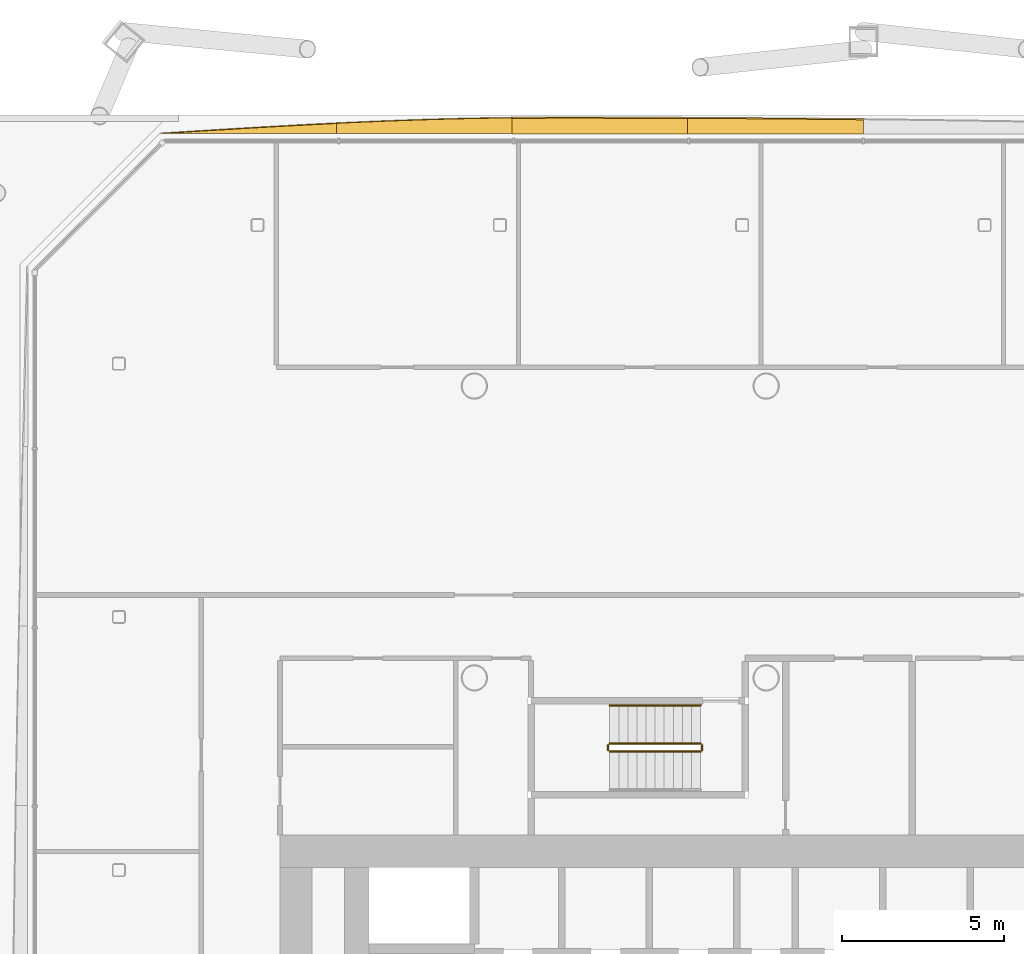
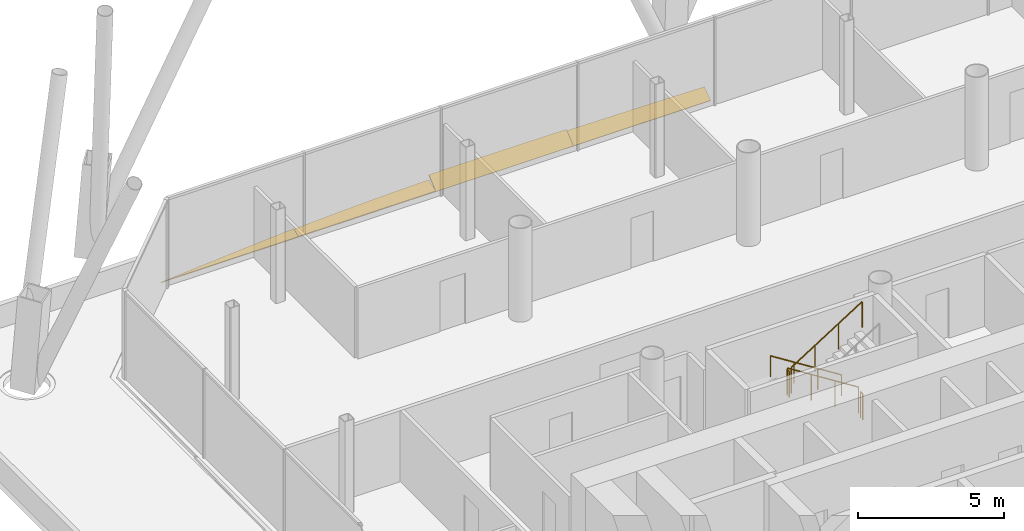
# One storey, part 21 of 23: 5 railings, 4 shading devices.
"""IFC4 building model written with IfcOpenShell, lengths in metres."""

from ifc_helpers import new_model, si_unit, direction, frame, origin, origin_2d, place, context, subcontext, project, spatial, polyline, circle, outline, extrude, material, layer, layer_set, type_object, element, save


model = new_model("IFC4")

# Units and contexts
model_context = context("Model", 3, precision=1e-05, world=origin(), true_north=direction((0.0, 1.0)))
body_context = subcontext(model_context, "Body", "Model", "MODEL_VIEW")
ifc_project = project(units=[si_unit("LENGTHUNIT", "METRE"), si_unit("AREAUNIT", "SQUARE_METRE"), si_unit("VOLUMEUNIT", "CUBIC_METRE"), si_unit("PLANEANGLEUNIT", "RADIAN"), si_unit("MASSUNIT", "GRAM", prefix="KILO")], contexts=[model_context])

# Site, building, storey
site_placement = place(None, origin())
site = spatial("IfcSite", under=ifc_project, at=site_placement, CompositionType="ELEMENT")
building_placement = place(site_placement, origin())
building = spatial("IfcBuilding", under=site, at=building_placement, Name="Tskaro Facet Tower", CompositionType="ELEMENT")
storey_placement = place(building_placement, frame((0.0, 0.0, 62.10009765625)))
storey = spatial("IfcBuildingStorey", under=building, at=storey_placement, Name="L14", CompositionType="ELEMENT", Elevation=62.10009765625)

# Shading devices
ifc_material_1 = material(Name="Bronze anodised aluminium 6063-T6", Category="aluminium")
ifc_layer = layer(ifc_material_1, 0.06005859375, Name="Bronze anodised aluminium 6063-T6")
ifc_layer_set = layer_set([ifc_layer], Name="Bronze anodised aluminium 6063-T6")
shading_device_type = type_object("IfcShadingDeviceType", Name="Bronze sun blade (FN1)", PredefinedType="USERDEFINED", material=ifc_layer_set)
shading_device_1_placement = place(storey_placement, frame((3.0, 25.774658203125, 0.049072265625), z_axis=(-8.216676e-06, -0.573658357337, 0.819094676451), x_axis=(-0.999999999966, 4.713565e-06, -6.730235e-06)))
element("IfcShadingDevice", 1, at=shading_device_1_placement, inside=storey, type_object=shading_device_type, Name="Fin blade north 5", ObjectType="FIN", PredefinedType="USERDEFINED", context=body_context, shape_type="SweptSolid", body=[
    extrude(outline(polyline([(0.0, 0.0), (5.419433593567057, 0.0), (5.41943359373663, -0.5877629134581239), (4.741943358554151, -0.5833627660653653), (4.064697264981364, -0.5782825634803046), (3.3872070317682876, -0.5725223057029418), (2.7097167967460174, -0.5660220717569288), (2.03222656270845, -0.5588417826186136), (1.354980468637453, -0.5511214915978977), (0.6774902349261664, -0.5427211453848798), (-5.943140861377047e-10, -0.5335808230032115), (0.0, 0.0)])), origin(), (0.0, 0.0, -1.0), 0.06005859375),
])
shading_device_2_placement = place(storey_placement, frame((-2.41943359375, 25.7705078125, 0.0458984375), z_axis=(-3.254269e-06, -0.642796142066, 0.766037283514), x_axis=(-0.999999999995, 2.091832e-06, -2.492892e-06)))
element("IfcShadingDevice", 2, at=shading_device_2_placement, inside=storey, type_object=shading_device_type, Name="Fin blade north 6", ObjectType="FIN", PredefinedType="USERDEFINED", context=body_context, shape_type="SweptSolid", body=[
    extrude(outline(polyline([(0.0, 0.0), (5.419677734346302, 0.0), (5.419677734308261, -0.6300914329124969), (4.742187499923438, -0.6380625391311064), (4.064697265790108, -0.6411882085578013), (3.945556640790738, -0.6411882085578013), (3.387207030907994, -0.6410011877366297), (2.7097167968303264, -0.6399693273174978), (2.032470702964871, -0.6384064926041504), (1.3549804687681624, -0.635811797471671), (0.6774902347672838, -0.6325291953931038), (-1.57082096104119e-10, -0.6285285981991495), (0.0, 0.0)])), origin(), (0.0, 0.0, -1.0), 0.06005859375),
])
shading_device_3_placement = place(storey_placement, frame((-7.839111328125, 25.78857421875, 0.056396484375), z_axis=(1.392184e-05, -0.341987629942, 0.93970445395), x_axis=(-0.999999999903, -4.761097e-06, 1.3082415e-05)))
element("IfcShadingDevice", 3, at=shading_device_3_placement, inside=storey, type_object=shading_device_type, Name="Fin blade north 7", ObjectType="FIN", PredefinedType="USERDEFINED", context=body_context, shape_type="SweptSolid", body=[
    extrude(outline(polyline([(0.0, 0.0), (5.419433593224809, 0.0), (5.419433593469022, -0.3333371674151971), (4.7419433593286175, -0.36685652610174146), (4.064453125198568, -0.3975182921334156), (3.3869628910788716, -0.4253224655102194), (2.709716795562934, -0.4499561331257038), (2.0322265617571262, -0.4712733680208684), (1.3547363282548552, -0.48896125708926397), (0.6772460938937431, -0.5032492203636153), (-1.5704284407442744e-09, -0.5135949247047483), (0.0, 0.0)])), origin(), (0.0, 0.0, -1.0), 0.06005859375),
])
shading_device_4_placement = place(storey_placement, frame((-13.258544921875, 25.78369140625, 0.05419921875), z_axis=(-6.662904e-06, -0.422931879323, 0.90616147866), x_axis=(-0.999999999978, 2.817954e-06, -6.037667e-06)))
element("IfcShadingDevice", 4, at=shading_device_4_placement, inside=storey, type_object=shading_device_type, Name="Fin blade north 8", ObjectType="FIN", PredefinedType="USERDEFINED", context=body_context, shape_type="SweptSolid", body=[
    extrude(outline(polyline([(0.0, 0.0), (5.419433593629704, 0.0), (4.741943358892572, -0.04663657666934681), (4.064697264780434, -0.09327315333869363), (3.387207030927449, -0.1390395278120673), (2.7097167972706355, -0.1837144692597118), (2.0322265631220153, -0.22707674685187113), (1.3547363285796747, -0.2685806440756807), (0.6774902342686075, -0.30822616093114064), (-2.7511244438318665e-10, -0.34568881173514215), (0.0, 0.0)])), origin(), (0.0, 0.0, -1.0), 0.06005859375),
])

# Railings
ifc_material_2 = material(Name="Stainless steel", Category="steel")
railing_type_1 = type_object("IfcRailingType", Name="RL-GUARD-1100", PredefinedType="GUARDRAIL", material=ifc_material_2)
railing_1_placement = place(storey_placement, frame((-2.02490234375, 6.97509765625, 0.17724609375)))
element("IfcRailing", 5, at=railing_1_placement, inside=storey, type_object=railing_type_1, Name="L14 ST-3 stair guard 1", PredefinedType="GUARDRAIL", context=body_context, shape_type="SweptSolid", body=[
    extrude(circle(Radius=0.02392578125, at=origin_2d()), frame((0.0, 0.0, 1.076171875), z_axis=(-0.844908973607, 0.0, 0.534910110503), x_axis=(0.0, -1.0, 0.0)), (0.0, 0.0, 1.0), 3.31396484375),
    extrude(circle(Radius=0.02099609375, at=origin_2d()), origin(), (0.0, 0.0, 1.0), 1.052001953125),
    extrude(circle(Radius=0.02099609375, at=origin_2d()), frame((-0.933349609375, 0.0, 0.5908203125)), (0.0, 0.0, 1.0), 1.052001953125),
    extrude(circle(Radius=0.02099609375, at=origin_2d()), frame((-1.86669921875, 0.0, 1.181884765625)), (0.0, 0.0, 1.0), 1.052001953125),
    extrude(circle(Radius=0.02099609375, at=origin_2d()), frame((-2.800048828125, 0.0, 1.772705078125)), (0.0, 0.0, 1.0), 1.052001953125),
])
railing_2_placement = place(storey_placement, frame((-4.875, 6.925048828125, 1.949951171875)))
element("IfcRailing", 6, at=railing_2_placement, inside=storey, type_object=railing_type_1, Name="L14 ST-3 stair guard 2", PredefinedType="GUARDRAIL", context=body_context, shape_type="SweptSolid", body=[
    extrude(circle(Radius=0.02392578125, at=origin_2d()), frame((0.0, 0.0, 1.076171875), z_axis=(0.0, -1.0, 0.0), x_axis=(1.0, 0.0, 0.0)), (0.0, 0.0, 1.0), 0.150146484375),
    extrude(circle(Radius=0.02099609375, at=origin_2d()), origin(), (0.0, 0.0, 1.0), 1.052001953125),
    extrude(circle(Radius=0.02099609375, at=origin_2d()), frame((0.0, -0.150146484375, 0.0)), (0.0, 0.0, 1.0), 1.052001953125),
])
railing_3_placement = place(storey_placement, frame((-4.824951171875, 6.72509765625, 2.127197265625)))
element("IfcRailing", 7, at=railing_3_placement, inside=storey, type_object=railing_type_1, Name="L14 ST-3 stair guard 3", PredefinedType="GUARDRAIL", context=body_context, shape_type="SweptSolid", body=[
    extrude(circle(Radius=0.02392578125, at=origin_2d()), frame((0.0, 0.0, 1.076171875), z_axis=(0.844908973607, 0.0, 0.534910110503), x_axis=(0.0, 1.0, 0.0)), (0.0, 0.0, 1.0), 3.31396484375),
    extrude(circle(Radius=0.02099609375, at=origin_2d()), origin(), (0.0, 0.0, 1.0), 1.052001953125),
    extrude(circle(Radius=0.02099609375, at=origin_2d()), frame((0.933349609375, 0.0, 0.5908203125)), (0.0, 0.0, 1.0), 1.052001953125),
    extrude(circle(Radius=0.02099609375, at=origin_2d()), frame((1.86669921875, 0.0, 1.181884765625)), (0.0, 0.0, 1.0), 1.052001953125),
    extrude(circle(Radius=0.02099609375, at=origin_2d()), frame((2.800048828125, 0.0, 1.772705078125)), (0.0, 0.0, 1.0), 1.052001953125),
])
railing_4_placement = place(storey_placement, frame((-1.97509765625, 6.925048828125, 0.0)))
element("IfcRailing", 8, at=railing_4_placement, inside=storey, type_object=railing_type_1, Name="L14 ST-3 stair guard 4", PredefinedType="GUARDRAIL", context=body_context, shape_type="SweptSolid", body=[
    extrude(circle(Radius=0.02392578125, at=origin_2d()), frame((0.0, 0.0, 1.076171875), z_axis=(0.0, -1.0, 0.0), x_axis=(1.0, 0.0, 0.0)), (0.0, 0.0, 1.0), 0.150146484375),
    extrude(circle(Radius=0.02099609375, at=origin_2d()), origin(), (0.0, 0.0, 1.0), 1.052001953125),
    extrude(circle(Radius=0.02099609375, at=origin_2d()), frame((0.0, -0.150146484375, 0.0)), (0.0, 0.0, 1.0), 1.052001953125),
])
railing_type_2 = type_object("IfcRailingType", Name="RL-HANDRAIL-900", PredefinedType="HANDRAIL", material=ifc_material_2)
railing_5_placement = place(storey_placement, frame((-2.02490234375, 8.14990234375, 0.17724609375)))
element("IfcRailing", 9, at=railing_5_placement, inside=storey, type_object=railing_type_2, Name="L14 ST-3 stair handrail 1", PredefinedType="HANDRAIL", context=body_context, shape_type="SweptSolid", body=[
    extrude(circle(Radius=0.02392578125, at=origin_2d()), frame((0.0, 0.0, 0.8759765625), z_axis=(-0.844908973607, 0.0, 0.534910110503), x_axis=(0.0, -1.0, 0.0)), (0.0, 0.0, 1.0), 3.31396484375),
    extrude(circle(Radius=0.02099609375, at=origin_2d()), origin(), (0.0, 0.0, 1.0), 0.851806640625),
    extrude(circle(Radius=0.02099609375, at=origin_2d()), frame((-0.933349609375, 0.0, 0.5908203125)), (0.0, 0.0, 1.0), 0.851806640625),
    extrude(circle(Radius=0.02099609375, at=origin_2d()), frame((-1.86669921875, 0.0, 1.181884765625)), (0.0, 0.0, 1.0), 0.851806640625),
    extrude(circle(Radius=0.02099609375, at=origin_2d()), frame((-2.800048828125, 0.0, 1.772705078125)), (0.0, 0.0, 1.0), 0.851806640625),
])

save(model, "model.ifc")
